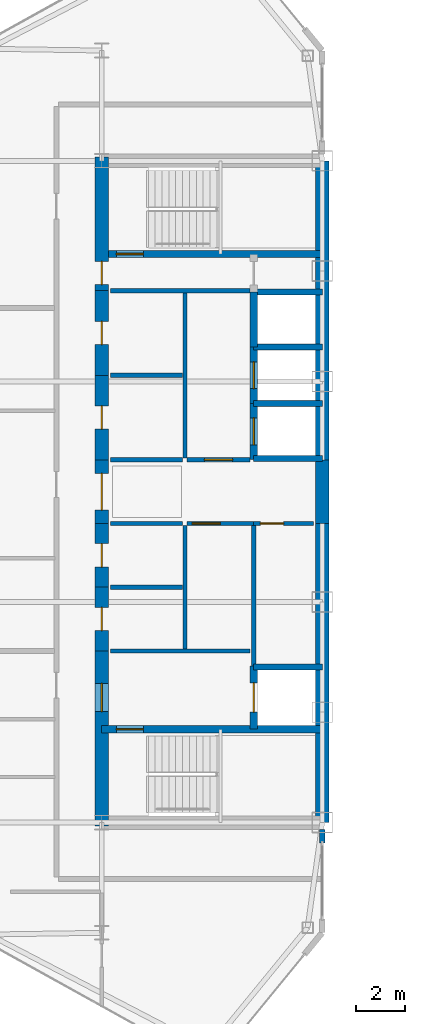
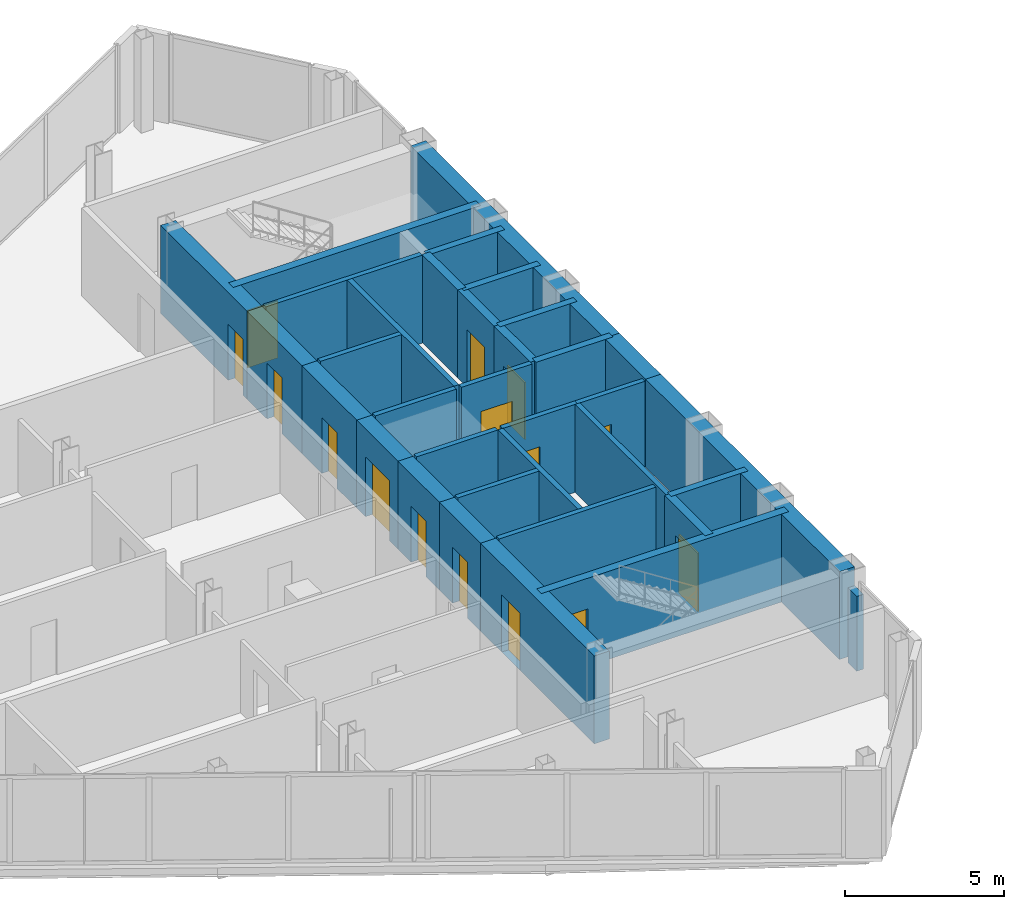
# One storey, part 20 of 26: 34 walls, 15 doors, 15 openings.
"""IFC4 building model written with IfcOpenShell, lengths in metres."""

from ifc_helpers import new_model, si_unit, direction, frame, frame_2d, origin, place, context, subcontext, project, spatial, rectangle, extrude, source, transform, mapped, material, layer, layer_set, type_object, type_shapes, element, fill, save


model = new_model("IFC4")

# Units and contexts
model_context = context("Model", 3, precision=1e-05, world=origin(), true_north=direction((0.0, 1.0)))
body_context = subcontext(model_context, "Body", "Model", "MODEL_VIEW")
ifc_project = project(units=[si_unit("LENGTHUNIT", "METRE"), si_unit("AREAUNIT", "SQUARE_METRE"), si_unit("VOLUMEUNIT", "CUBIC_METRE"), si_unit("PLANEANGLEUNIT", "RADIAN"), si_unit("MASSUNIT", "GRAM", prefix="KILO")], contexts=[model_context])

# Site, building, storey
site_placement = place(None, origin())
site = spatial("IfcSite", under=ifc_project, at=site_placement, CompositionType="ELEMENT")
building_placement = place(site_placement, origin())
building = spatial("IfcBuilding", under=site, at=building_placement, Name="Seokmaru Belvedere", CompositionType="ELEMENT")
storey_placement = place(building_placement, frame((0.0, 0.0, 177.89990234375)))
storey = spatial("IfcBuildingStorey", under=building, at=storey_placement, Name="L47", CompositionType="ELEMENT", Elevation=177.89990234375)

# Walls
ifc_material_1 = material(Name="Fire-Rated Gypsum Shaftwall")
ifc_layer_1 = layer(ifc_material_1, 0.179931640625)
ifc_layer_set_1 = layer_set([ifc_layer_1], Name="Fire-Rated Gypsum Shaftwall")
wall_type_1 = type_object("IfcWallType", Name="Core Service Fire Partition 180", PredefinedType="PARTITIONING", material=ifc_layer_set_1)
for number, where, z_axis, x_axis, name in (
    (1, (-36.14990234375, -6.5, 0.0), (0.0, 0.0, 1.0), (1.0, 0.0, 0.0), "L47 West Firefighting Lobby Partition"),
    (2, (-36.14990234375, 8.199951171875, 0.0), (0.0, 0.0, 1.0), (1.0, 0.0, 0.0), "L47 West Smokeproof Vestibule Partition"),
):
    element("IfcWall", number, at=place(storey_placement, frame(where, z_axis=z_axis, x_axis=x_axis)), inside=storey, type_object=wall_type_1, Name=name, PredefinedType="PARTITIONING", context=body_context, shape_type="SweptSolid", body=[
        extrude(rectangle(XDim=5.699951171875, YDim=0.179931640625, at=frame_2d((2.85009765625, 0.0))), origin(), (0.0, 0.0, 1.0), 3.380126953125),
    ])
wall_1_placement = place(storey_placement, frame((-33.10009765625, -6.419921875, 0.0), z_axis=(0.0, 0.0, 1.0), x_axis=(0.0, 1.0, 0.0)))
element("IfcWall", 3, at=wall_1_placement, inside=storey, type_object=wall_type_1, Name="L47 West South Core Service Back Wall", PredefinedType="PARTITIONING", context=body_context, shape_type="SweptSolid", body=[
    extrude(rectangle(XDim=5.0400390625, YDim=0.179931640625, at=frame_2d((2.52001953125, 0.0))), origin(), (0.0, 0.0, 1.0), 3.380126953125),
])
wall_2_placement = place(storey_placement, frame((-33.10009765625, 1.3798828125, 0.0), z_axis=(0.0, 0.0, 1.0), x_axis=(0.0, 1.0, 0.0)))
element("IfcWall", 4, at=wall_2_placement, inside=storey, type_object=wall_type_1, Name="L47 West North Core Service Back Wall", PredefinedType="PARTITIONING", context=body_context, shape_type="SweptSolid", body=[
    extrude(rectangle(XDim=6.740234375, YDim=0.179931640625, at=frame_2d((3.3701171875, 0.0))), origin(), (0.0, 0.0, 1.0), 3.380126953125),
])

# Wall, opening, door
wall_3_placement = place(storey_placement, frame((-30.300048828125, -1.300048828125, 0.0), z_axis=(0.0, 0.0, 1.0), x_axis=(1.0, 0.0, 0.0)))
wall_3 = element("IfcWall", 5, at=wall_3_placement, inside=storey, type_object=wall_type_1, Name="L47 West South Parcel Vault Foyer Wall", PredefinedType="PARTITIONING", context=body_context, shape_type="SweptSolid", body=[
    extrude(rectangle(XDim=2.449951171875, YDim=0.179931640625, at=frame_2d((1.22509765625, 0.0))), origin(), (0.0, 0.0, 1.0), 3.380126953125),
])
opening_1_placement = place(wall_3_placement, frame((0.27490234375, 0.0, 0.0)))
opening_1 = element("IfcOpeningElement", 6, at=opening_1_placement, cuts=wall_3, Name="Opening D04", PredefinedType="OPENING", context=body_context, shape_type="SweptSolid", body=[
    extrude(rectangle(XDim=0.949951171875, YDim=2.14990234375, at=frame_2d((0.47509765625, 1.074951171875))), frame((0.0, 0.10009765625, 0.0), z_axis=(0.0, -1.0, 0.0), x_axis=(1.0, 0.0, 0.0)), (0.0, 0.0, 1.0), 0.199951171875),
])
ifc_material_2 = material(Name="Fire-Rated Steel Leaf", Category="steel")
door_type_1 = type_object("IfcDoorType", Name="Core Service Room Fire Door 950x2150", OperationType="NOTDEFINED", PredefinedType="DOOR", material=ifc_material_2)
shared_shape_1 = source(origin(), body_context, "Body", "SweptSolid", [
    extrude(rectangle(XDim=0.949951171875, YDim=2.14990234375, at=frame_2d((0.47509765625, 1.074951171875))), frame((0.0, 0.02490234375, 0.0), z_axis=(0.0, -1.0, 0.0), x_axis=(1.0, 0.0, 0.0)), (0.0, 0.0, 1.0), 0.050048828125),
])
type_shapes(door_type_1, [shared_shape_1])
door_1_placement = place(opening_1_placement, origin())
door_1 = element("IfcDoor", 7, at=door_1_placement, inside=storey, type_object=door_type_1, Name="L47 West South Parcel Vault Door", OperationType="SINGLE_SWING_LEFT", OverallHeight=2.14990234375, OverallWidth=0.949951171875, PredefinedType="DOOR", context=body_context, shape_type="MappedRepresentation", body=[
    mapped(shared_shape_1, transform((0.0, 0.0, 0.0), scale=1.0)),
])
fill(opening_1, door_1)

wall_4_placement = place(storey_placement, frame((-33.02001953125, -1.300048828125, 0.0), z_axis=(0.0, 0.0, 1.0), x_axis=(1.0, 0.0, 0.0)))
wall_4 = element("IfcWall", 8, at=wall_4_placement, inside=storey, type_object=wall_type_1, Name="L47 West South Wine Cellar Foyer Wall", PredefinedType="PARTITIONING", context=body_context, shape_type="SweptSolid", body=[
    extrude(rectangle(XDim=2.719970703125, YDim=0.179931640625, at=frame_2d((1.35986328125, 0.0))), origin(), (0.0, 0.0, 1.0), 3.380126953125),
])
opening_2_placement = place(wall_4_placement, frame((0.2099609375, 0.0, 0.0)))
opening_2 = element("IfcOpeningElement", 9, at=opening_2_placement, cuts=wall_4, Name="Opening D02", PredefinedType="OPENING", context=body_context, shape_type="SweptSolid", body=[
    extrude(rectangle(XDim=1.14990234375, YDim=2.199951171875, at=frame_2d((0.574951171875, 1.10009765625))), frame((0.0, 0.10009765625, 0.0), z_axis=(0.0, -1.0, 0.0), x_axis=(1.0, 0.0, 0.0)), (0.0, 0.0, 1.0), 0.199951171875),
])
door_type_2 = type_object("IfcDoorType", Name="Lobby and Vestibule Fire Door 1150x2200", OperationType="NOTDEFINED", PredefinedType="DOOR", material=ifc_material_2)
shared_shape_2 = source(origin(), body_context, "Body", "SweptSolid", [
    extrude(rectangle(XDim=1.14990234375, YDim=2.199951171875, at=frame_2d((0.574951171875, 1.10009765625))), frame((0.0, 0.02490234375, 0.0), z_axis=(0.0, -1.0, 0.0), x_axis=(1.0, 0.0, 0.0)), (0.0, 0.0, 1.0), 0.050048828125),
])
type_shapes(door_type_2, [shared_shape_2])
door_2_placement = place(opening_2_placement, origin())
door_2 = element("IfcDoor", 10, at=door_2_placement, inside=storey, type_object=door_type_2, Name="L47 West South Core Foyer Door", OperationType="SINGLE_SWING_LEFT", OverallHeight=2.199951171875, OverallWidth=1.14990234375, PredefinedType="DOOR", context=body_context, shape_type="MappedRepresentation", body=[
    mapped(shared_shape_2, transform((0.0, 0.0, 0.0), scale=1.0)),
])
fill(opening_2, door_2)

# Wall
wall_5_placement = place(storey_placement, frame((-30.300048828125, -7.1201171875, 0.0), z_axis=(0.0, 0.0, 1.0), x_axis=(0.0, 1.0, 0.0)))
element("IfcWall", 11, at=wall_5_placement, inside=storey, type_object=wall_type_1, Name="L47 West Freed Shaft Vault Partition", PredefinedType="PARTITIONING", context=body_context, shape_type="SweptSolid", body=[
    extrude(rectangle(XDim=5.740234375, YDim=0.179931640625, at=frame_2d((2.8701171875, 0.0))), origin(), (0.0, 0.0, 1.0), 3.380126953125),
])

# Wall, opening, door
wall_6_placement = place(storey_placement, frame((-33.02001953125, 1.300048828125, 0.0), z_axis=(0.0, 0.0, 1.0), x_axis=(1.0, 0.0, 0.0)))
wall_6 = element("IfcWall", 12, at=wall_6_placement, inside=storey, type_object=wall_type_1, Name="L47 West North Lift Lobby Foyer Wall", PredefinedType="PARTITIONING", context=body_context, shape_type="SweptSolid", body=[
    extrude(rectangle(XDim=2.570068359375, YDim=0.179931640625, at=frame_2d((1.28515625, 0.0))), origin(), (0.0, 0.0, 1.0), 3.380126953125),
])
opening_3_placement = place(wall_6_placement, frame((0.7099609375, 0.0, 0.0)))
opening_3 = element("IfcOpeningElement", 13, at=opening_3_placement, cuts=wall_6, Name="Opening D02", PredefinedType="OPENING", context=body_context, shape_type="SweptSolid", body=[
    extrude(rectangle(XDim=1.14990234375, YDim=2.199951171875, at=frame_2d((0.574951171875, 1.10009765625))), frame((0.0, 0.10009765625, 0.0), z_axis=(0.0, -1.0, 0.0), x_axis=(1.0, 0.0, 0.0)), (0.0, 0.0, 1.0), 0.199951171875),
])
door_3_placement = place(opening_3_placement, origin())
door_3 = element("IfcDoor", 14, at=door_3_placement, inside=storey, type_object=door_type_2, Name="L47 West North Lift Lobby Door", OperationType="SINGLE_SWING_RIGHT", OverallHeight=2.199951171875, OverallWidth=1.14990234375, PredefinedType="DOOR", context=body_context, shape_type="MappedRepresentation", body=[
    mapped(shared_shape_2, transform((0.0, 0.0, 0.0), scale=1.0)),
])
fill(opening_3, door_3)

# Walls
for number, where, z_axis, x_axis, name in (
    (15, (-36.14990234375, -1.300048828125, 0.0), (0.0, 0.0, 1.0), (1.0, 0.0, 0.0), "L47 West Foyer Side Wall S"),
    (16, (-36.14990234375, 1.300048828125, 0.0), (0.0, 0.0, 1.0), (1.0, 0.0, 0.0), "L47 West Foyer Side Wall N"),
    (17, (-36.14990234375, -3.89990234375, 0.0), (0.0, 0.0, 1.0), (1.0, 0.0, 0.0), "L47 West Core Service Partition 1"),
    (18, (-36.14990234375, 4.75, 0.0), (0.0, 0.0, 1.0), (1.0, 0.0, 0.0), "L47 West Core Service Partition 2"),
):
    element("IfcWall", number, at=place(storey_placement, frame(where, z_axis=z_axis, x_axis=x_axis)), inside=storey, type_object=wall_type_1, Name=name, PredefinedType="PARTITIONING", context=body_context, shape_type="SweptSolid", body=[
        extrude(rectangle(XDim=2.949951171875, YDim=0.179931640625, at=frame_2d((1.47509765625, 0.0))), origin(), (0.0, 0.0, 1.0), 3.380126953125),
    ])
ifc_material_3 = material(Name="Concrete C50 (50 MPa)", Category="concrete")
ifc_layer_2 = layer(ifc_material_3, 0.25)
ifc_layer_set_2 = layer_set([ifc_layer_2], Name="Concrete C50 (50 MPa)")
wall_type_2 = type_object("IfcWallType", Name="Hoistway Transverse Concrete Divider Wall 250", PredefinedType="SHEAR", material=ifc_layer_set_2)
for number, where, z_axis, x_axis, name in (
    (19, (-30.300048828125, -7.14990234375, 0.0), (0.0, 0.0, 1.0), (1.0, 0.0, 0.0), "L47 West Hoistway Divider Core Wall 1"),
    (20, (-30.300048828125, 1.35009765625, 0.0), (0.0, 0.0, 1.0), (1.0, 0.0, 0.0), "L47 West Hoistway Divider Core Wall 2"),
    (21, (-30.300048828125, 3.60009765625, 0.0), (0.0, 0.0, 1.0), (1.0, 0.0, 0.0), "L47 West Hoistway Divider Core Wall 3"),
    (22, (-30.300048828125, 5.89990234375, 0.0), (0.0, 0.0, 1.0), (1.0, 0.0, 0.0), "L47 West Hoistway Divider Core Wall 4"),
    (23, (-30.300048828125, 8.14990234375, 0.0), (0.0, 0.0, 1.0), (1.0, 0.0, 0.0), "L47 West Hoistway Divider Core Wall 5"),
):
    element("IfcWall", number, at=place(storey_placement, frame(where, z_axis=z_axis, x_axis=x_axis)), inside=storey, type_object=wall_type_2, Name=name, PredefinedType="SHEAR", context=body_context, shape_type="SweptSolid", body=[
        extrude(rectangle(XDim=2.800048828125, YDim=0.25, at=frame_2d((1.39990234375, 0.0))), origin(), (0.0, 0.0, 1.0), 3.380126953125),
    ])

# Wall, opening, door
ifc_layer_3 = layer(ifc_material_3, 0.300048828125)
ifc_layer_set_3 = layer_set([ifc_layer_3], Name="Concrete C50 (50 MPa)")
wall_type_3 = type_object("IfcWallType", Name="Internal Core Stair and Hoistway Wall 300", PredefinedType="SHEAR", material=ifc_layer_set_3)
wall_7_placement = place(storey_placement, frame((-36.5, -9.699951171875, 0.0), z_axis=(0.0, 0.0, 1.0), x_axis=(1.0, 0.0, 0.0)))
wall_7 = element("IfcWall", 24, at=wall_7_placement, inside=storey, type_object=wall_type_3, Name="L47 West Stair ST-1 Enclosure Wall", PredefinedType="SHEAR", context=body_context, shape_type="SweptSolid", body=[
    extrude(rectangle(XDim=9.0, YDim=0.300048828125, at=frame_2d((4.5, 0.0))), origin(), (0.0, 0.0, 1.0), 3.380126953125),
])
opening_4_placement = place(wall_7_placement, frame((0.60009765625, 0.0, 0.0)))
opening_4 = element("IfcOpeningElement", 25, at=opening_4_placement, cuts=wall_7, Name="Opening D01", PredefinedType="OPENING", context=body_context, shape_type="SweptSolid", body=[
    extrude(rectangle(XDim=1.10009765625, YDim=2.199951171875, at=frame_2d((0.550048828125, 1.10009765625))), frame((0.0, 0.16015625, 0.0), z_axis=(0.0, -1.0, 0.0), x_axis=(1.0, 0.0, 0.0)), (0.0, 0.0, 1.0), 0.320068359375),
])
door_type_3 = type_object("IfcDoorType", Name="Special Escape Stair Smokeproof Fire Door 1100x2200", OperationType="NOTDEFINED", PredefinedType="DOOR", material=ifc_material_2)
shared_shape_3 = source(origin(), body_context, "Body", "SweptSolid", [
    extrude(rectangle(XDim=1.10009765625, YDim=2.199951171875, at=frame_2d((0.550048828125, 1.10009765625))), frame((0.0, 0.02490234375, 0.0), z_axis=(0.0, -1.0, 0.0), x_axis=(1.0, 0.0, 0.0)), (0.0, 0.0, 1.0), 0.050048828125),
])
type_shapes(door_type_3, [shared_shape_3])
door_4_placement = place(opening_4_placement, frame((1.10009765625, 0.0, 0.0), z_axis=(0.0, 0.0, 1.0), x_axis=(-1.0, 0.0, 0.0)))
door_4 = element("IfcDoor", 26, at=door_4_placement, inside=storey, type_object=door_type_3, Name="L47 West Special Escape Stair ST-1 Door", OperationType="SINGLE_SWING_LEFT", OverallHeight=2.199951171875, OverallWidth=1.10009765625, PredefinedType="DOOR", context=body_context, shape_type="MappedRepresentation", body=[
    mapped(shared_shape_3, transform((0.0, 0.0, 0.0), scale=1.0)),
])
fill(opening_4, door_4)

wall_8_placement = place(storey_placement, frame((-36.5, 9.699951171875, 0.0), z_axis=(0.0, 0.0, 1.0), x_axis=(1.0, 0.0, 0.0)))
wall_8 = element("IfcWall", 27, at=wall_8_placement, inside=storey, type_object=wall_type_3, Name="L47 West Stair ST-2 Enclosure Wall", PredefinedType="SHEAR", context=body_context, shape_type="SweptSolid", body=[
    extrude(rectangle(XDim=9.0, YDim=0.300048828125, at=frame_2d((4.5, 0.0))), origin(), (0.0, 0.0, 1.0), 3.380126953125),
])
opening_5_placement = place(wall_8_placement, frame((0.60009765625, 0.0, 0.0)))
opening_5 = element("IfcOpeningElement", 28, at=opening_5_placement, cuts=wall_8, Name="Opening D01", PredefinedType="OPENING", context=body_context, shape_type="SweptSolid", body=[
    extrude(rectangle(XDim=1.10009765625, YDim=2.199951171875, at=frame_2d((0.550048828125, 1.10009765625))), frame((0.0, 0.16015625, 0.0), z_axis=(0.0, -1.0, 0.0), x_axis=(1.0, 0.0, 0.0)), (0.0, 0.0, 1.0), 0.320068359375),
])
door_5_placement = place(opening_5_placement, origin())
door_5 = element("IfcDoor", 29, at=door_5_placement, inside=storey, type_object=door_type_3, Name="L47 West Special Escape Stair ST-2 Door", OperationType="SINGLE_SWING_RIGHT", OverallHeight=2.199951171875, OverallWidth=1.10009765625, PredefinedType="DOOR", context=body_context, shape_type="MappedRepresentation", body=[
    mapped(shared_shape_3, transform((0.0, 0.0, 0.0), scale=1.0)),
])
fill(opening_5, door_5)

wall_9_placement = place(storey_placement, frame((-30.300048828125, -9.679931640625, 0.0), z_axis=(0.0, 0.0, 1.0), x_axis=(0.0, 1.0, 0.0)))
wall_9 = element("IfcWall", 30, at=wall_9_placement, inside=storey, type_object=wall_type_3, Name="L47 West Firefighting Lift Shaft Front Wall", PredefinedType="SHEAR", context=body_context, shape_type="SweptSolid", body=[
    extrude(rectangle(XDim=2.559814453125, YDim=0.300048828125, at=frame_2d((1.27978515625, 0.0))), origin(), (0.0, 0.0, 1.0), 3.380126953125),
])
opening_6_placement = place(wall_9_placement, frame((0.679931640625, 0.0, 0.0)))
opening_6 = element("IfcOpeningElement", 31, at=opening_6_placement, cuts=wall_9, Name="Opening LD2", PredefinedType="OPENING", context=body_context, shape_type="SweptSolid", body=[
    extrude(rectangle(XDim=1.199951171875, YDim=2.25, at=frame_2d((0.60009765625, 1.125))), frame((0.0, 0.16015625, 0.0), z_axis=(0.0, -1.0, 0.0), x_axis=(1.0, 0.0, 0.0)), (0.0, 0.0, 1.0), 0.320068359375),
])
ifc_material_4 = material(Name="Stainless Steel 316", Category="steel")
door_type_4 = type_object("IfcDoorType", Name="Firefighting Lift Sliding Landing Door 1200x2250", OperationType="DOUBLE_DOOR_SLIDING", PredefinedType="DOOR", material=ifc_material_4)
shared_shape_4 = source(origin(), body_context, "Body", "SweptSolid", [
    extrude(rectangle(XDim=1.199951171875, YDim=2.25, at=frame_2d((0.60009765625, 1.125))), frame((0.0, 0.02490234375, 0.0), z_axis=(0.0, -1.0, 0.0), x_axis=(1.0, 0.0, 0.0)), (0.0, 0.0, 1.0), 0.050048828125),
])
type_shapes(door_type_4, [shared_shape_4])
door_6_placement = place(opening_6_placement, origin())
door_6 = element("IfcDoor", 32, at=door_6_placement, inside=storey, type_object=door_type_4, Name="L47 West Firefighting Lift Landing Door", OperationType="DOUBLE_DOOR_SLIDING", OverallHeight=2.25, OverallWidth=1.199951171875, PredefinedType="DOOR", context=body_context, shape_type="MappedRepresentation", body=[
    mapped(shared_shape_4, transform((0.0, 0.0, 0.0), scale=1.0)),
])
fill(opening_6, door_6)

wall_10_placement = place(storey_placement, frame((-30.300048828125, 1.320068359375, 0.0), z_axis=(0.0, 0.0, 1.0), x_axis=(0.0, 1.0, 0.0)))
wall_10 = element("IfcWall", 33, at=wall_10_placement, inside=storey, type_object=wall_type_3, Name="L47 West North Hoistway Wall PH1", PredefinedType="SHEAR", context=body_context, shape_type="SweptSolid", body=[
    extrude(rectangle(XDim=2.280029296875, YDim=0.300048828125, at=frame_2d((1.14013671875, 0.0))), origin(), (0.0, 0.0, 1.0), 3.380126953125),
])
opening_7_placement = place(wall_10_placement, frame((0.590087890625, 0.0, 0.0)))
opening_7 = element("IfcOpeningElement", 34, at=opening_7_placement, cuts=wall_10, Name="Opening LD1", PredefinedType="OPENING", context=body_context, shape_type="SweptSolid", body=[
    extrude(rectangle(XDim=1.10009765625, YDim=2.199951171875, at=frame_2d((0.550048828125, 1.10009765625))), frame((0.0, 0.16015625, 0.0), z_axis=(0.0, -1.0, 0.0), x_axis=(1.0, 0.0, 0.0)), (0.0, 0.0, 1.0), 0.320068359375),
])
door_type_5 = type_object("IfcDoorType", Name="Passenger Lift Sliding Landing Door 1100x2200", OperationType="DOUBLE_DOOR_SLIDING", PredefinedType="DOOR", material=ifc_material_4)
shared_shape_5 = source(origin(), body_context, "Body", "SweptSolid", [
    extrude(rectangle(XDim=1.10009765625, YDim=2.199951171875, at=frame_2d((0.550048828125, 1.10009765625))), frame((0.0, 0.02490234375, 0.0), z_axis=(0.0, -1.0, 0.0), x_axis=(1.0, 0.0, 0.0)), (0.0, 0.0, 1.0), 0.050048828125),
])
type_shapes(door_type_5, [shared_shape_5])
door_7_placement = place(opening_7_placement, origin())
door_7 = element("IfcDoor", 35, at=door_7_placement, inside=storey, type_object=door_type_5, Name="L47 West High-Rise Lift PH-1 Landing Door", OperationType="DOUBLE_DOOR_SLIDING", OverallHeight=2.199951171875, OverallWidth=1.10009765625, PredefinedType="DOOR", context=body_context, shape_type="MappedRepresentation", body=[
    mapped(shared_shape_5, transform((0.0, 0.0, 0.0), scale=1.0)),
])
fill(opening_7, door_7)

wall_11_placement = place(storey_placement, frame((-30.300048828125, 3.60009765625, 0.0), z_axis=(0.0, 0.0, 1.0), x_axis=(0.0, 1.0, 0.0)))
wall_11 = element("IfcWall", 36, at=wall_11_placement, inside=storey, type_object=wall_type_3, Name="L47 West North Hoistway Wall PH2", PredefinedType="SHEAR", context=body_context, shape_type="SweptSolid", body=[
    extrude(rectangle(XDim=2.2998046875, YDim=0.300048828125, at=frame_2d((1.14990234375, 0.0))), origin(), (0.0, 0.0, 1.0), 3.380126953125),
])
opening_8_placement = place(wall_11_placement, frame((0.60009765625, 0.0, 0.0)))
opening_8 = element("IfcOpeningElement", 37, at=opening_8_placement, cuts=wall_11, Name="Opening LD1", PredefinedType="OPENING", context=body_context, shape_type="SweptSolid", body=[
    extrude(rectangle(XDim=1.10009765625, YDim=2.199951171875, at=frame_2d((0.550048828125, 1.10009765625))), frame((0.0, 0.16015625, 0.0), z_axis=(0.0, -1.0, 0.0), x_axis=(1.0, 0.0, 0.0)), (0.0, 0.0, 1.0), 0.320068359375),
])
door_8_placement = place(opening_8_placement, origin())
door_8 = element("IfcDoor", 38, at=door_8_placement, inside=storey, type_object=door_type_5, Name="L47 West High-Rise Lift PH-2 Landing Door", OperationType="DOUBLE_DOOR_SLIDING", OverallHeight=2.199951171875, OverallWidth=1.10009765625, PredefinedType="DOOR", context=body_context, shape_type="MappedRepresentation", body=[
    mapped(shared_shape_5, transform((0.0, 0.0, 0.0), scale=1.0)),
])
fill(opening_8, door_8)

# Walls
wall_12_placement = place(storey_placement, frame((-30.300048828125, 5.89990234375, 0.0), z_axis=(0.0, 0.0, 1.0), x_axis=(0.0, 1.0, 0.0)))
element("IfcWall", 39, at=wall_12_placement, inside=storey, type_object=wall_type_3, Name="L47 West North Hoistway Wall OBS", PredefinedType="SHEAR", context=body_context, shape_type="SweptSolid", body=[
    extrude(rectangle(XDim=2.25, YDim=0.300048828125, at=frame_2d((1.125, 0.0))), origin(), (0.0, 0.0, 1.0), 3.380126953125),
])
ifc_layer_4 = layer(ifc_material_3, 0.550048828125)
ifc_layer_set_4 = layer_set([ifc_layer_4], Name="Concrete C50 (50 MPa)")
wall_type_4 = type_object("IfcWallType", Name="Mid-High Reinforced Concrete Core Wall 550", PredefinedType="SHEAR", material=ifc_layer_set_4)
for number, where, z_axis, x_axis, name in (
    (40, (-27.5, -13.5, 0.0), (0.0, 0.0, 1.0), (0.0, 1.0, 0.0), "L47 West Portal Spine Core Wall South"),
    (41, (-27.5, 1.300048828125, 0.0), (0.0, 0.0, 1.0), (0.0, 1.0, 0.0), "L47 West Portal Spine Core Wall North"),
):
    element("IfcWall", number, at=place(storey_placement, frame(where, z_axis=z_axis, x_axis=x_axis)), inside=storey, type_object=wall_type_4, Name=name, PredefinedType="SHEAR", context=body_context, shape_type="SweptSolid", body=[
        extrude(rectangle(XDim=12.199951171875, YDim=0.550048828125, at=frame_2d((6.10009765625, 0.0))), origin(), (0.0, 0.0, 1.0), 3.380126953125),
    ])
wall_13_placement = place(storey_placement, frame((-27.5, -1.300048828125, 0.0), z_axis=(0.0, 0.0, 1.0), x_axis=(0.0, 1.0, 0.0)))
element("IfcWall", 42, at=wall_13_placement, inside=storey, type_object=wall_type_4, Name="L47 West Portal Spine Core Wall Center", PredefinedType="SHEAR", context=body_context, shape_type="SweptSolid", body=[
    extrude(rectangle(XDim=2.60009765625, YDim=0.550048828125, at=frame_2d((1.300048828125, 0.0))), origin(), (0.0, 0.0, 1.0), 3.380126953125),
])

# Wall, opening, door
wall_14_placement = place(storey_placement, frame((-36.5, -13.64990234375, 0.0), z_axis=(0.0, 0.0, 1.0), x_axis=(0.0, 1.0, 0.0)))
wall_14 = element("IfcWall", 43, at=wall_14_placement, inside=storey, type_object=wall_type_4, Name="L47 West West Core Wall FF", PredefinedType="SHEAR", context=body_context, shape_type="SweptSolid", body=[
    extrude(rectangle(XDim=7.14990234375, YDim=0.550048828125, at=frame_2d((3.574951171875, 0.0))), origin(), (0.0, 0.0, 1.0), 3.380126953125),
])
opening_9_placement = place(wall_14_placement, frame((4.675048828125, 0.0, 0.0)))
opening_9 = element("IfcOpeningElement", 44, at=opening_9_placement, cuts=wall_14, Name="Opening D02", PredefinedType="OPENING", context=body_context, shape_type="SweptSolid", body=[
    extrude(rectangle(XDim=1.14990234375, YDim=2.199951171875, at=frame_2d((0.574951171875, 1.10009765625))), frame((0.0, 0.28515625, 0.0), z_axis=(0.0, -1.0, 0.0), x_axis=(1.0, 0.0, 0.0)), (0.0, 0.0, 1.0), 0.570068359375),
])
door_9_placement = place(opening_9_placement, frame((1.14990234375, 0.0, 0.0), z_axis=(0.0, 0.0, 1.0), x_axis=(-1.0, 0.0, 0.0)))
door_9 = element("IfcDoor", 45, at=door_9_placement, inside=storey, type_object=door_type_2, Name="L47 West Firefighting Lobby Door", OperationType="SINGLE_SWING_LEFT", OverallHeight=2.199951171875, OverallWidth=1.14990234375, PredefinedType="DOOR", context=body_context, shape_type="MappedRepresentation", body=[
    mapped(shared_shape_2, transform((0.0, 0.0, 0.0), scale=1.0)),
])
fill(opening_9, door_9)

wall_15_placement = place(storey_placement, frame((-36.5, -1.300048828125, 0.0), z_axis=(0.0, 0.0, 1.0), x_axis=(0.0, 1.0, 0.0)))
wall_15 = element("IfcWall", 46, at=wall_15_placement, inside=storey, type_object=wall_type_4, Name="L47 West West Core Wall FOY", PredefinedType="SHEAR", context=body_context, shape_type="SweptSolid", body=[
    extrude(rectangle(XDim=2.60009765625, YDim=0.550048828125, at=frame_2d((1.300048828125, 0.0))), origin(), (0.0, 0.0, 1.0), 3.380126953125),
])
opening_10_placement = place(wall_15_placement, frame((0.550048828125, 0.0, 0.0)))
opening_10 = element("IfcOpeningElement", 47, at=opening_10_placement, cuts=wall_15, Name="Opening D08", PredefinedType="OPENING", context=body_context, shape_type="SweptSolid", body=[
    extrude(rectangle(XDim=1.5, YDim=2.300048828125, at=frame_2d((0.75, 1.14990234375))), frame((0.0, 0.28515625, 0.0), z_axis=(0.0, -1.0, 0.0), x_axis=(1.0, 0.0, 0.0)), (0.0, 0.0, 1.0), 0.570068359375),
])
door_type_6 = type_object("IfcDoorType", Name="Cross-Corridor Compartment Double Fire Door 1500x2300", OperationType="DOUBLE_SWING_LEFT", PredefinedType="DOOR", material=ifc_material_2)
shared_shape_6 = source(origin(), body_context, "Body", "SweptSolid", [
    extrude(rectangle(XDim=1.5, YDim=2.300048828125, at=frame_2d((0.75, 1.14990234375))), frame((0.0, 0.02490234375, 0.0), z_axis=(0.0, -1.0, 0.0), x_axis=(1.0, 0.0, 0.0)), (0.0, 0.0, 1.0), 0.050048828125),
])
type_shapes(door_type_6, [shared_shape_6])
door_10_placement = place(opening_10_placement, origin())
door_10 = element("IfcDoor", 48, at=door_10_placement, inside=storey, type_object=door_type_6, Name="L47 West Core Foyer Compartment Door", OperationType="DOUBLE_SWING_LEFT", OverallHeight=2.300048828125, OverallWidth=1.5, PredefinedType="DOOR", context=body_context, shape_type="MappedRepresentation", body=[
    mapped(shared_shape_6, transform((0.0, 0.0, 0.0), scale=1.0)),
])
fill(opening_10, door_10)

wall_16_placement = place(storey_placement, frame((-36.5, 8.199951171875, 0.0), z_axis=(0.0, 0.0, 1.0), x_axis=(0.0, 1.0, 0.0)))
wall_16 = element("IfcWall", 49, at=wall_16_placement, inside=storey, type_object=wall_type_4, Name="L47 West West Core Wall VST", PredefinedType="SHEAR", context=body_context, shape_type="SweptSolid", body=[
    extrude(rectangle(XDim=5.449951171875, YDim=0.550048828125, at=frame_2d((2.72509765625, 0.0))), origin(), (0.0, 0.0, 1.0), 3.380126953125),
])
opening_11_placement = place(wall_16_placement, frame((0.2451171875, 0.0, 0.0)))
opening_11 = element("IfcOpeningElement", 50, at=opening_11_placement, cuts=wall_16, Name="Opening D04", PredefinedType="OPENING", context=body_context, shape_type="SweptSolid", body=[
    extrude(rectangle(XDim=0.949951171875, YDim=2.14990234375, at=frame_2d((0.47509765625, 1.074951171875))), frame((0.0, 0.28515625, 0.0), z_axis=(0.0, -1.0, 0.0), x_axis=(1.0, 0.0, 0.0)), (0.0, 0.0, 1.0), 0.570068359375),
])
door_11_placement = place(opening_11_placement, frame((0.949951171875, 0.0, 0.0), z_axis=(0.0, 0.0, 1.0), x_axis=(-1.0, 0.0, 0.0)))
door_11 = element("IfcDoor", 51, at=door_11_placement, inside=storey, type_object=door_type_1, Name="L47 West Smokeproof Vestibule Door", OperationType="SINGLE_SWING_RIGHT", OverallHeight=2.14990234375, OverallWidth=0.949951171875, PredefinedType="DOOR", context=body_context, shape_type="MappedRepresentation", body=[
    mapped(shared_shape_1, transform((0.0, 0.0, 0.0), scale=1.0)),
])
fill(opening_11, door_11)

wall_17_placement = place(storey_placement, frame((-36.5, -6.5, 0.0), z_axis=(0.0, 0.0, 1.0), x_axis=(0.0, 1.0, 0.0)))
wall_17 = element("IfcWall", 52, at=wall_17_placement, inside=storey, type_object=wall_type_4, Name="L47 West West Core Wall CS1", PredefinedType="SHEAR", context=body_context, shape_type="SweptSolid", body=[
    extrude(rectangle(XDim=2.60009765625, YDim=0.550048828125, at=frame_2d((1.300048828125, 0.0))), origin(), (0.0, 0.0, 1.0), 3.380126953125),
])
opening_12_placement = place(wall_17_placement, frame((0.824951171875, 0.0, 0.0)))
opening_12 = element("IfcOpeningElement", 53, at=opening_12_placement, cuts=wall_17, Name="Opening D04", PredefinedType="OPENING", context=body_context, shape_type="SweptSolid", body=[
    extrude(rectangle(XDim=0.949951171875, YDim=2.14990234375, at=frame_2d((0.47509765625, 1.074951171875))), frame((0.0, 0.28515625, 0.0), z_axis=(0.0, -1.0, 0.0), x_axis=(1.0, 0.0, 0.0)), (0.0, 0.0, 1.0), 0.570068359375),
])
door_12_placement = place(opening_12_placement, origin())
door_12 = element("IfcDoor", 54, at=door_12_placement, inside=storey, type_object=door_type_1, Name="L47 West Core Service Room Door 1", OperationType="SINGLE_SWING_LEFT", OverallHeight=2.14990234375, OverallWidth=0.949951171875, PredefinedType="DOOR", context=body_context, shape_type="MappedRepresentation", body=[
    mapped(shared_shape_1, transform((0.0, 0.0, 0.0), scale=1.0)),
])
fill(opening_12, door_12)

wall_18_placement = place(storey_placement, frame((-36.5, -3.89990234375, 0.0), z_axis=(0.0, 0.0, 1.0), x_axis=(0.0, 1.0, 0.0)))
wall_18 = element("IfcWall", 55, at=wall_18_placement, inside=storey, type_object=wall_type_4, Name="L47 West West Core Wall CS2", PredefinedType="SHEAR", context=body_context, shape_type="SweptSolid", body=[
    extrude(rectangle(XDim=2.599853515625, YDim=0.550048828125, at=frame_2d((1.2998046875, 0.0))), origin(), (0.0, 0.0, 1.0), 3.380126953125),
])
opening_13_placement = place(wall_18_placement, frame((0.824951171875, 0.0, 0.0)))
opening_13 = element("IfcOpeningElement", 56, at=opening_13_placement, cuts=wall_18, Name="Opening D04", PredefinedType="OPENING", context=body_context, shape_type="SweptSolid", body=[
    extrude(rectangle(XDim=0.949951171875, YDim=2.14990234375, at=frame_2d((0.47509765625, 1.074951171875))), frame((0.0, 0.28515625, 0.0), z_axis=(0.0, -1.0, 0.0), x_axis=(1.0, 0.0, 0.0)), (0.0, 0.0, 1.0), 0.570068359375),
])
door_13_placement = place(opening_13_placement, origin())
door_13 = element("IfcDoor", 57, at=door_13_placement, inside=storey, type_object=door_type_1, Name="L47 West Core Service Room Door 2", OperationType="SINGLE_SWING_RIGHT", OverallHeight=2.14990234375, OverallWidth=0.949951171875, PredefinedType="DOOR", context=body_context, shape_type="MappedRepresentation", body=[
    mapped(shared_shape_1, transform((0.0, 0.0, 0.0), scale=1.0)),
])
fill(opening_13, door_13)

wall_19_placement = place(storey_placement, frame((-36.5, 1.300048828125, 0.0), z_axis=(0.0, 0.0, 1.0), x_axis=(0.0, 1.0, 0.0)))
wall_19 = element("IfcWall", 58, at=wall_19_placement, inside=storey, type_object=wall_type_4, Name="L47 West West Core Wall CS3", PredefinedType="SHEAR", context=body_context, shape_type="SweptSolid", body=[
    extrude(rectangle(XDim=3.449951171875, YDim=0.550048828125, at=frame_2d((1.72509765625, 0.0))), origin(), (0.0, 0.0, 1.0), 3.380126953125),
])
opening_14_placement = place(wall_19_placement, frame((1.25, 0.0, 0.0)))
opening_14 = element("IfcOpeningElement", 59, at=opening_14_placement, cuts=wall_19, Name="Opening D04", PredefinedType="OPENING", context=body_context, shape_type="SweptSolid", body=[
    extrude(rectangle(XDim=0.949951171875, YDim=2.14990234375, at=frame_2d((0.47509765625, 1.074951171875))), frame((0.0, 0.28515625, 0.0), z_axis=(0.0, -1.0, 0.0), x_axis=(1.0, 0.0, 0.0)), (0.0, 0.0, 1.0), 0.570068359375),
])
door_14_placement = place(opening_14_placement, origin())
door_14 = element("IfcDoor", 60, at=door_14_placement, inside=storey, type_object=door_type_1, Name="L47 West Core Service Room Door 3", OperationType="SINGLE_SWING_LEFT", OverallHeight=2.14990234375, OverallWidth=0.949951171875, PredefinedType="DOOR", context=body_context, shape_type="MappedRepresentation", body=[
    mapped(shared_shape_1, transform((0.0, 0.0, 0.0), scale=1.0)),
])
fill(opening_14, door_14)

wall_20_placement = place(storey_placement, frame((-36.5, 4.75, 0.0), z_axis=(0.0, 0.0, 1.0), x_axis=(0.0, 1.0, 0.0)))
wall_20 = element("IfcWall", 61, at=wall_20_placement, inside=storey, type_object=wall_type_4, Name="L47 West West Core Wall CS4", PredefinedType="SHEAR", context=body_context, shape_type="SweptSolid", body=[
    extrude(rectangle(XDim=3.449951171875, YDim=0.550048828125, at=frame_2d((1.72509765625, 0.0))), origin(), (0.0, 0.0, 1.0), 3.380126953125),
])
opening_15_placement = place(wall_20_placement, frame((1.25, 0.0, 0.0)))
opening_15 = element("IfcOpeningElement", 62, at=opening_15_placement, cuts=wall_20, Name="Opening D04", PredefinedType="OPENING", context=body_context, shape_type="SweptSolid", body=[
    extrude(rectangle(XDim=0.949951171875, YDim=2.14990234375, at=frame_2d((0.47509765625, 1.074951171875))), frame((0.0, 0.28515625, 0.0), z_axis=(0.0, -1.0, 0.0), x_axis=(1.0, 0.0, 0.0)), (0.0, 0.0, 1.0), 0.570068359375),
])
door_15_placement = place(opening_15_placement, origin())
door_15 = element("IfcDoor", 63, at=door_15_placement, inside=storey, type_object=door_type_1, Name="L47 West Core Service Room Door 4", OperationType="SINGLE_SWING_RIGHT", OverallHeight=2.14990234375, OverallWidth=0.949951171875, PredefinedType="DOOR", context=body_context, shape_type="MappedRepresentation", body=[
    mapped(shared_shape_1, transform((0.0, 0.0, 0.0), scale=1.0)),
])
fill(opening_15, door_15)

# Wall
ifc_material_5 = material(Name="Anodised Bronze Aluminium", Category="aluminium")
ifc_layer_5 = layer(ifc_material_5, 0.239990234375)
ifc_layer_set_5 = layer_set([ifc_layer_5], Name="Anodised Bronze Aluminium")
wall_type_5 = type_object("IfcWallType", Name="Tower Corner Spandrel Closure Wall 240", PredefinedType="SOLIDWALL", material=ifc_layer_set_5)
wall_21_placement = place(storey_placement, frame((-27.5, -14.330078125, 0.0), z_axis=(0.0, 0.0, 1.0), x_axis=(0.0, 1.0, 0.0)))
element("IfcWall", 64, at=wall_21_placement, inside=storey, type_object=wall_type_5, Name="L47 W Spine Closure Pier 1B", PredefinedType="SOLIDWALL", context=body_context, shape_type="SweptSolid", body=[
    extrude(rectangle(XDim=0.550048828125, YDim=0.239990234375, at=frame_2d((0.27490234375, 0.0))), origin(), (0.0, 0.0, 1.0), 2.880126953125),
])

save(model, "model.ifc")
